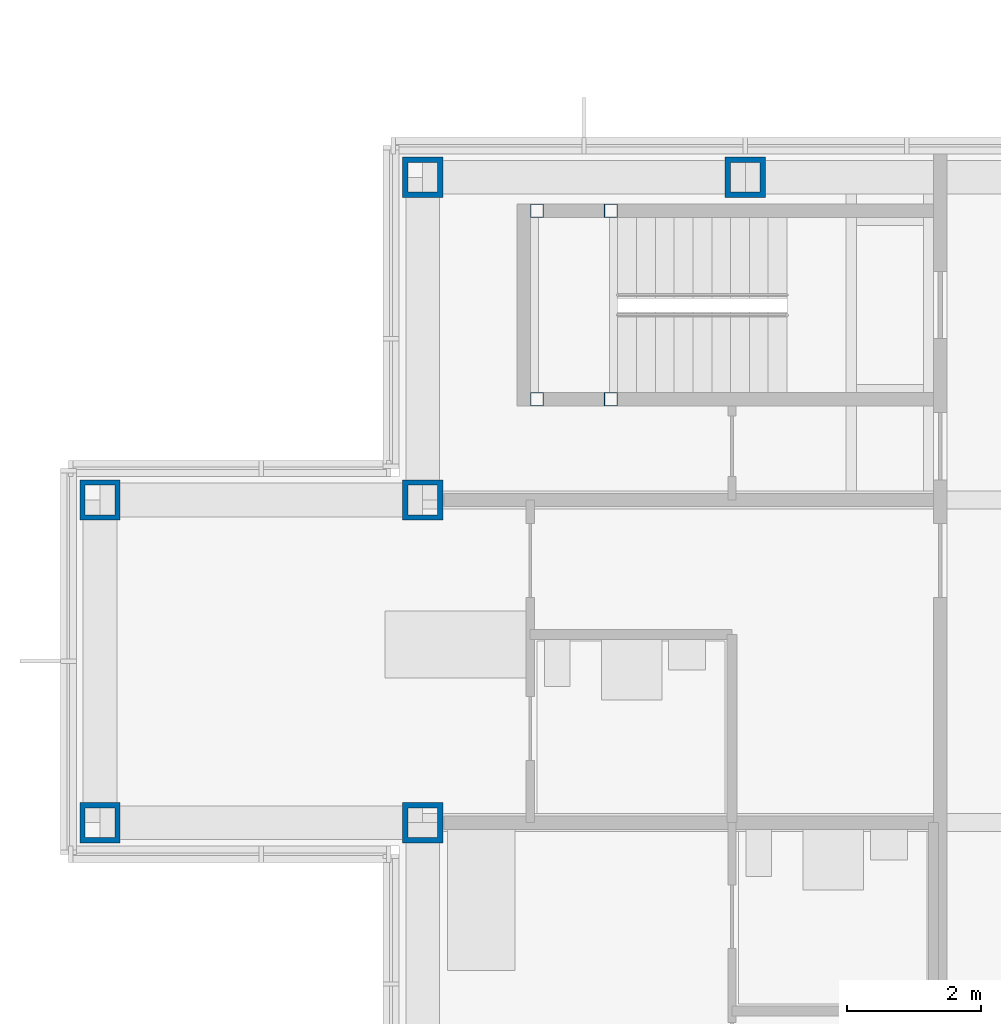
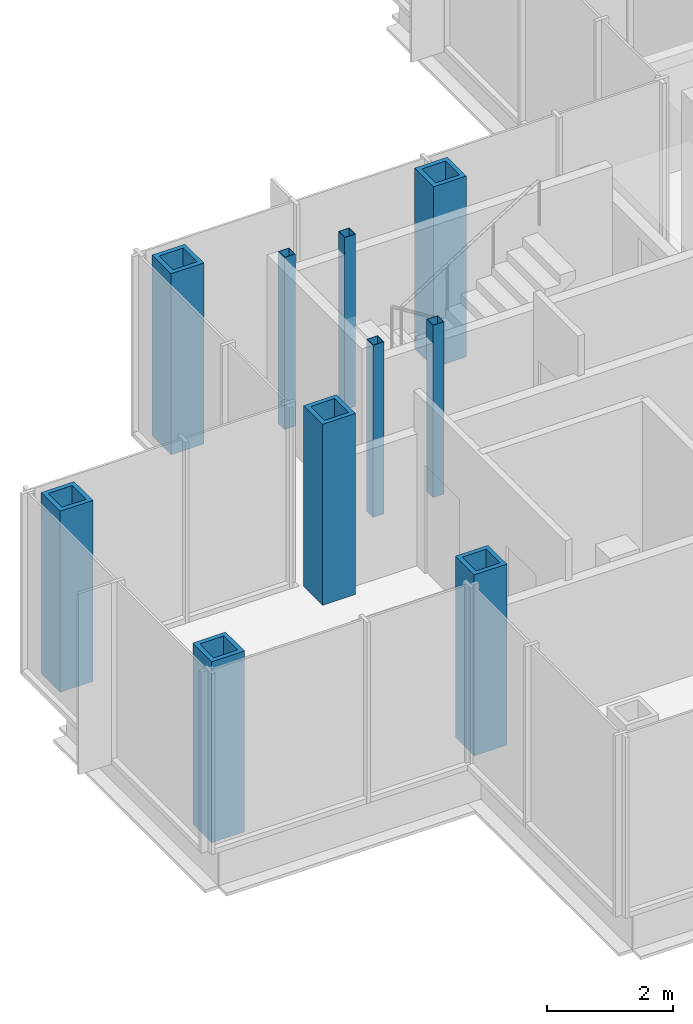
# One storey, part 3 of 17: 10 columns.
"""IFC4 building model written with IfcOpenShell, lengths in metres."""

from ifc_helpers import new_model, si_unit, direction, frame, origin, origin_2d, place, context, subcontext, project, spatial, hollow_rectangle, extrude, material, material_profile, profile_set, type_object, element, save


model = new_model("IFC4")

# Units and contexts
model_context = context("Model", 3, precision=1e-05, world=origin(), true_north=direction((0.0, 1.0)))
body_context = subcontext(model_context, "Body", "Model", "MODEL_VIEW")
ifc_project = project(units=[si_unit("LENGTHUNIT", "METRE"), si_unit("AREAUNIT", "SQUARE_METRE"), si_unit("VOLUMEUNIT", "CUBIC_METRE"), si_unit("PLANEANGLEUNIT", "RADIAN"), si_unit("MASSUNIT", "GRAM", prefix="KILO")], contexts=[model_context])

# Site, building, storey
site_placement = place(None, origin())
site = spatial("IfcSite", under=ifc_project, at=site_placement, CompositionType="ELEMENT")
building_placement = place(site_placement, origin())
building = spatial("IfcBuilding", under=site, at=building_placement, Name="Kvirike Care Tower", CompositionType="ELEMENT")
storey_placement = place(building_placement, frame((0.0, 0.0, 144.5)))
storey = spatial("IfcBuildingStorey", under=building, at=storey_placement, Name="L39", CompositionType="ELEMENT", Elevation=144.5)

# Columns
ifc_material_1 = material(Name="Steel S460", Category="steel")
ifc_material_profile_1 = material_profile(ifc_material_1, hollow_rectangle(XDim=0.60009765625, YDim=0.60009765625, WallThickness=0.080078125, at=origin_2d()), Name="BX 600x600x80")
ifc_profile_set_1 = profile_set([ifc_material_profile_1], Name="Steel S460")
column_type_1 = type_object("IfcColumnType", Name="COLUMN BX 600x600x80", PredefinedType="COLUMN", material=ifc_profile_set_1)
for number, where, z_axis, x_axis, name in (
    (1, (0.0, 33.60009765625, 0.0), (0.0, 0.0, 1.0), (0.0, 1.0, 0.0), "Column H3 L39"),
    (2, (0.0, 38.39990234375, 0.0), (0.0, 0.0, 1.0), (0.0, 1.0, 0.0), "Column J3 L39"),
    (3, (4.800048828125, 33.60009765625, 0.0), (0.0, 0.0, 1.0), (0.0, 1.0, 0.0), "Column H4 L39"),
    (4, (4.800048828125, 38.39990234375, 0.0), (0.0, 0.0, 1.0), (0.0, 1.0, 0.0), "Column J4 L39"),
    (5, (4.800048828125, 43.199951171875, 0.0), (0.0, 0.0, 1.0), (0.0, 1.0, 0.0), "Column K4 L39"),
    (6, (9.60009765625, 43.199951171875, 0.0), (0.0, 0.0, 1.0), (0.0, 1.0, 0.0), "Column K5 L39"),
):
    element("IfcColumn", number, at=place(storey_placement, frame(where, z_axis=z_axis, x_axis=x_axis)), inside=storey, type_object=column_type_1, Name=name, PredefinedType="COLUMN", context=body_context, shape_type="SweptSolid", body=[
        extrude(hollow_rectangle(XDim=0.60009765625, YDim=0.60009765625, WallThickness=0.080078125, at=origin_2d()), origin(), (0.0, 0.0, 1.0), 3.5),
    ])
ifc_material_2 = material(Name="Steel S460", Category="steel")
ifc_material_profile_2 = material_profile(ifc_material_2, hollow_rectangle(XDim=0.199951171875, YDim=0.199951171875, WallThickness=0.008056640625, at=origin_2d()), Name="SHS 200x200x8")
ifc_profile_set_2 = profile_set([ifc_material_profile_2], Name="Steel S460")
column_type_2 = type_object("IfcColumnType", Name="STAIR POST SHS 200x200x8", PredefinedType="COLUMN", material=ifc_profile_set_2)
for number, where, z_axis, x_axis, name in (
    (7, (6.5, 42.699951171875, 0.0), (0.0, 0.0, 1.0), (1.0, 0.0, 0.0), "Stair 1 post 1 L39"),
    (8, (6.5, 39.89990234375, 0.0), (0.0, 0.0, 1.0), (1.0, 0.0, 0.0), "Stair 1 post 2 L39"),
    (9, (7.60009765625, 42.699951171875, 0.0), (0.0, 0.0, 1.0), (1.0, 0.0, 0.0), "Stair 1 post 3 L39"),
    (10, (7.60009765625, 39.89990234375, 0.0), (0.0, 0.0, 1.0), (1.0, 0.0, 0.0), "Stair 1 post 4 L39"),
):
    element("IfcColumn", number, at=place(storey_placement, frame(where, z_axis=z_axis, x_axis=x_axis)), inside=storey, type_object=column_type_2, Name=name, PredefinedType="COLUMN", context=body_context, shape_type="SweptSolid", body=[
        extrude(hollow_rectangle(XDim=0.199951171875, YDim=0.199951171875, WallThickness=0.008056640625, at=origin_2d()), origin(), (0.0, 0.0, 1.0), 3.330078125),
    ])

save(model, "model.ifc")
